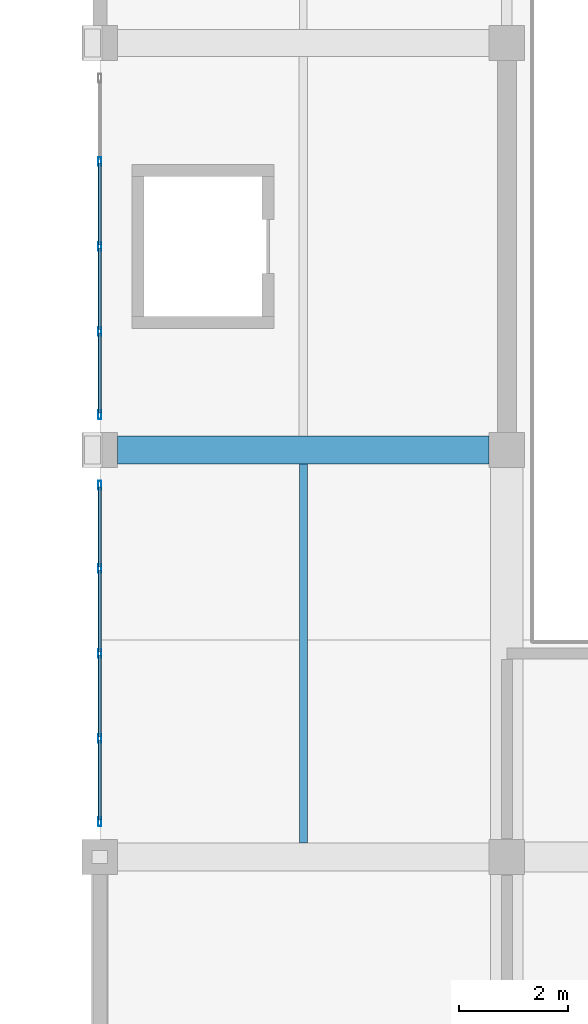
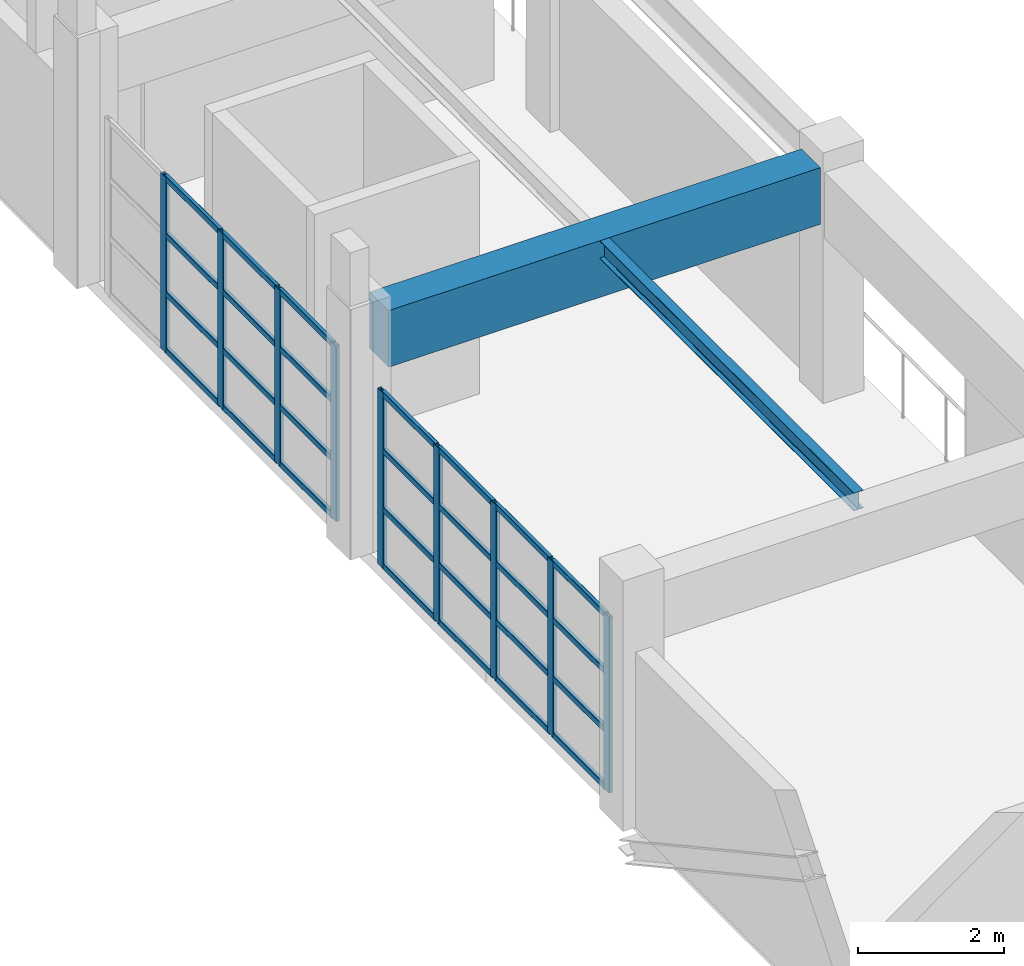
# One storey, part 4 of 51: 37 members, 2 beams, 2 elements without a shape of their own.
"""IFC4 building model written with IfcOpenShell, lengths in metres."""

from ifc_helpers import new_model, si_unit, direction, frame, origin, origin_2d, place, context, subcontext, project, spatial, rectangle, hollow_rectangle, i_section, extrude, material, material_profile, profile_set, type_object, element, aggregate, save


model = new_model("IFC4")

# Units and contexts
model_context = context("Model", 3, precision=1e-05, world=origin(), true_north=direction((0.0, 1.0)))
body_context = subcontext(model_context, "Body", "Model", "MODEL_VIEW")
ifc_project = project(units=[si_unit("LENGTHUNIT", "METRE"), si_unit("AREAUNIT", "SQUARE_METRE"), si_unit("VOLUMEUNIT", "CUBIC_METRE"), si_unit("PLANEANGLEUNIT", "RADIAN"), si_unit("MASSUNIT", "GRAM", prefix="KILO")], contexts=[model_context])

# Site, building, storey
site_placement = place(None, origin())
site = spatial("IfcSite", under=ifc_project, at=site_placement, CompositionType="ELEMENT")
building_placement = place(site_placement, origin())
building = spatial("IfcBuilding", under=site, at=building_placement, Name="Qasida Concert Hall", CompositionType="ELEMENT")
storey_placement = place(building_placement, frame((0.0, 0.0, 21.0)))
storey = spatial("IfcBuildingStorey", under=building, at=storey_placement, Name="L05", CompositionType="ELEMENT", Elevation=21.0)

# Beams
ifc_material_1 = material(Name="Concrete C40/50", Category="concrete")
ifc_material_profile_1 = material_profile(ifc_material_1, rectangle(XDim=0.52001953125, YDim=0.949951171875, at=origin_2d()), Name="RC 520x950")
ifc_profile_set_1 = profile_set([ifc_material_profile_1], Name="Concrete C40/50")
beam_type_1 = type_object("IfcBeamType", Name="BM-G7", PredefinedType="USERDEFINED", material=ifc_profile_set_1)
beam_1_placement = place(storey_placement, frame((52.824951171875, 37.5, 3.445068359375), z_axis=(1.0, 0.0, 0.0), x_axis=(0.0, 1.0, 0.0)))
element("IfcBeam", 1, at=beam_1_placement, inside=storey, type_object=beam_type_1, Name="Primary girder 1992", ObjectType="GIRDER", PredefinedType="USERDEFINED", context=body_context, shape_type="SweptSolid", body=[
    extrude(rectangle(XDim=0.52001953125, YDim=0.949951171875, at=origin_2d()), origin(), (0.0, 0.0, 1.0), 6.85009765625),
])
ifc_material_2 = material(Name="Steel S355J2", Category="steel")
ifc_material_profile_2 = material_profile(ifc_material_2, i_section(OverallWidth=0.14990234375, OverallDepth=0.300048828125, WebThickness=0.007080078125, FlangeThickness=0.0107421875, FilletRadius=0.014892578125, at=origin_2d()), Name="IPE 300")
ifc_profile_set_2 = profile_set([ifc_material_profile_2], Name="Steel S355J2")
beam_type_2 = type_object("IfcBeamType", Name="BM-J4", PredefinedType="JOIST", material=ifc_profile_set_2)
beam_2_placement = place(storey_placement, frame((56.25, 30.260009765625, 3.77001953125), z_axis=(0.0, 1.0, 0.0), x_axis=(-1.0, 0.0, 0.0)))
element("IfcBeam", 2, at=beam_2_placement, inside=storey, type_object=beam_type_2, Name="L05 secondary joist 2027", PredefinedType="JOIST", context=body_context, shape_type="SweptSolid", body=[
    extrude(i_section(OverallWidth=0.14990234375, OverallDepth=0.300048828125, WebThickness=0.007080078125, FlangeThickness=0.0107421875, FilletRadius=0.014892578125, at=origin_2d()), origin(), (0.0, 0.0, 1.0), 6.97998046875),
])

# Curtain wall, members
ifc_material_3 = material(Name="Architectural bronze-anodized aluminium and low-E glass", Category="aluminium")
curtain_wall_type = type_object("IfcCurtainWallType", Name="CW-05", PredefinedType="NOTDEFINED", material=ifc_material_3)
curtain_wall_1_placement = place(storey_placement, origin())
curtain_wall_1 = element("IfcCurtainWall", 3, at=curtain_wall_1_placement, inside=storey, type_object=curtain_wall_type, Name="L05 curtain wall CW-05 0062", PredefinedType="NOTDEFINED")
ifc_material_4 = material(Name="Architectural bronze-anodized aluminium EN AW-6063", Category="aluminium")
ifc_material_profile_3 = material_profile(ifc_material_4, hollow_rectangle(XDim=0.06005859375, YDim=0.159912109375, WallThickness=0.00390625, InnerFilletRadius=0.00390625, OuterFilletRadius=0.008056640625, at=origin_2d()), Name="CWM 160x60x4")
ifc_profile_set_3 = profile_set([ifc_material_profile_3], Name="Architectural bronze-anodized aluminium EN AW-6063")
member_type_1 = type_object("IfcMemberType", Name="MB-CWM-3", PredefinedType="MULLION", material=ifc_profile_set_3)
member_1_placement = place(storey_placement, frame((52.5, 30.64990234375, 0.0), z_axis=(0.0, 0.0, 1.0), x_axis=(-1.0, 0.0, 0.0)))
member_1 = element("IfcMember", 4, at=member_1_placement, type_object=member_type_1, Name="CW-05 mullion 1", PredefinedType="MULLION", context=body_context, shape_type="SweptSolid", body=[
    extrude(hollow_rectangle(XDim=0.06005859375, YDim=0.159912109375, WallThickness=0.00390625, InnerFilletRadius=0.00390625, OuterFilletRadius=0.008056640625, at=origin_2d()), origin(), (0.0, 0.0, 1.0), 2.93994140625),
])
member_2_placement = place(storey_placement, frame((52.5, 32.18505859375, 0.0), z_axis=(0.0, 0.0, 1.0), x_axis=(-1.0, 0.0, 0.0)))
member_2 = element("IfcMember", 5, at=member_2_placement, type_object=member_type_1, Name="CW-05 mullion 2", PredefinedType="MULLION", context=body_context, shape_type="SweptSolid", body=[
    extrude(hollow_rectangle(XDim=0.06005859375, YDim=0.159912109375, WallThickness=0.00390625, InnerFilletRadius=0.00390625, OuterFilletRadius=0.008056640625, at=origin_2d()), origin(), (0.0, 0.0, 1.0), 2.93994140625),
])
member_3_placement = place(storey_placement, frame((52.5, 33.75, 0.0), z_axis=(0.0, 0.0, 1.0), x_axis=(-1.0, 0.0, 0.0)))
member_3 = element("IfcMember", 6, at=member_3_placement, type_object=member_type_1, Name="CW-05 mullion 3", PredefinedType="MULLION", context=body_context, shape_type="SweptSolid", body=[
    extrude(hollow_rectangle(XDim=0.06005859375, YDim=0.159912109375, WallThickness=0.00390625, InnerFilletRadius=0.00390625, OuterFilletRadius=0.008056640625, at=origin_2d()), origin(), (0.0, 0.0, 1.0), 2.93994140625),
])
member_4_placement = place(storey_placement, frame((52.5, 35.31494140625, 0.0), z_axis=(0.0, 0.0, 1.0), x_axis=(-1.0, 0.0, 0.0)))
member_4 = element("IfcMember", 7, at=member_4_placement, type_object=member_type_1, Name="CW-05 mullion 4", PredefinedType="MULLION", context=body_context, shape_type="SweptSolid", body=[
    extrude(hollow_rectangle(XDim=0.06005859375, YDim=0.159912109375, WallThickness=0.00390625, InnerFilletRadius=0.00390625, OuterFilletRadius=0.008056640625, at=origin_2d()), origin(), (0.0, 0.0, 1.0), 2.93994140625),
])
member_5_placement = place(storey_placement, frame((52.5, 36.85009765625, 0.0), z_axis=(0.0, 0.0, 1.0), x_axis=(-1.0, 0.0, 0.0)))
member_5 = element("IfcMember", 8, at=member_5_placement, type_object=member_type_1, Name="CW-05 mullion 5", PredefinedType="MULLION", context=body_context, shape_type="SweptSolid", body=[
    extrude(hollow_rectangle(XDim=0.06005859375, YDim=0.159912109375, WallThickness=0.00390625, InnerFilletRadius=0.00390625, OuterFilletRadius=0.008056640625, at=origin_2d()), origin(), (0.0, 0.0, 1.0), 2.93994140625),
])

curtain_wall_2_placement = place(storey_placement, origin())
curtain_wall_2 = element("IfcCurtainWall", 9, at=curtain_wall_2_placement, inside=storey, type_object=curtain_wall_type, Name="L05 curtain wall CW-05 0064", PredefinedType="NOTDEFINED")
member_6_placement = place(storey_placement, frame((52.5, 38.14990234375, 0.0), z_axis=(0.0, 0.0, 1.0), x_axis=(-1.0, 0.0, 0.0)))
member_6 = element("IfcMember", 10, at=member_6_placement, type_object=member_type_1, Name="CW-05 mullion 1", PredefinedType="MULLION", context=body_context, shape_type="SweptSolid", body=[
    extrude(hollow_rectangle(XDim=0.06005859375, YDim=0.159912109375, WallThickness=0.00390625, InnerFilletRadius=0.00390625, OuterFilletRadius=0.008056640625, at=origin_2d()), origin(), (0.0, 0.0, 1.0), 2.93994140625),
])
member_7_placement = place(storey_placement, frame((52.5, 39.68505859375, 0.0), z_axis=(0.0, 0.0, 1.0), x_axis=(-1.0, 0.0, 0.0)))
member_7 = element("IfcMember", 11, at=member_7_placement, type_object=member_type_1, Name="CW-05 mullion 2", PredefinedType="MULLION", context=body_context, shape_type="SweptSolid", body=[
    extrude(hollow_rectangle(XDim=0.06005859375, YDim=0.159912109375, WallThickness=0.00390625, InnerFilletRadius=0.00390625, OuterFilletRadius=0.008056640625, at=origin_2d()), origin(), (0.0, 0.0, 1.0), 2.93994140625),
])
member_8_placement = place(storey_placement, frame((52.5, 41.25, 0.0), z_axis=(0.0, 0.0, 1.0), x_axis=(-1.0, 0.0, 0.0)))
member_8 = element("IfcMember", 12, at=member_8_placement, type_object=member_type_1, Name="CW-05 mullion 3", PredefinedType="MULLION", context=body_context, shape_type="SweptSolid", body=[
    extrude(hollow_rectangle(XDim=0.06005859375, YDim=0.159912109375, WallThickness=0.00390625, InnerFilletRadius=0.00390625, OuterFilletRadius=0.008056640625, at=origin_2d()), origin(), (0.0, 0.0, 1.0), 2.93994140625),
])
member_9_placement = place(storey_placement, frame((52.5, 42.81494140625, 0.0), z_axis=(0.0, 0.0, 1.0), x_axis=(-1.0, 0.0, 0.0)))
member_9 = element("IfcMember", 13, at=member_9_placement, type_object=member_type_1, Name="CW-05 mullion 4", PredefinedType="MULLION", context=body_context, shape_type="SweptSolid", body=[
    extrude(hollow_rectangle(XDim=0.06005859375, YDim=0.159912109375, WallThickness=0.00390625, InnerFilletRadius=0.00390625, OuterFilletRadius=0.008056640625, at=origin_2d()), origin(), (0.0, 0.0, 1.0), 2.93994140625),
])

# Member
ifc_material_profile_4 = material_profile(ifc_material_4, hollow_rectangle(XDim=0.06005859375, YDim=0.10009765625, WallThickness=0.00341796875, InnerFilletRadius=0.00341796875, OuterFilletRadius=0.007080078125, at=origin_2d()), Name="CWT 100x60x3.5")
ifc_profile_set_4 = profile_set([ifc_material_profile_4], Name="Architectural bronze-anodized aluminium EN AW-6063")
member_type_2 = type_object("IfcMemberType", Name="MB-CWT-3", PredefinedType="USERDEFINED", material=ifc_profile_set_4)
member_10_placement = place(storey_placement, frame((52.5, 30.679931640625, 0.030029296875), z_axis=(0.0, 1.0, 0.0), x_axis=(-1.0, 0.0, 0.0)))
member_10 = element("IfcMember", 14, at=member_10_placement, type_object=member_type_2, Name="CW-05 transom 1.1", ObjectType="TRANSOM", PredefinedType="USERDEFINED", context=body_context, shape_type="SweptSolid", body=[
    extrude(hollow_rectangle(XDim=0.06005859375, YDim=0.10009765625, WallThickness=0.00341796875, InnerFilletRadius=0.00341796875, OuterFilletRadius=0.007080078125, at=origin_2d()), origin(), (0.0, 0.0, 1.0), 1.47509765625),
])

member_11_placement = place(storey_placement, frame((52.5, 30.679931640625, 0.97998046875), z_axis=(0.0, 1.0, 0.0), x_axis=(-1.0, 0.0, 0.0)))
member_11 = element("IfcMember", 15, at=member_11_placement, type_object=member_type_2, Name="CW-05 transom 1.2", ObjectType="TRANSOM", PredefinedType="USERDEFINED", context=body_context, shape_type="SweptSolid", body=[
    extrude(hollow_rectangle(XDim=0.06005859375, YDim=0.10009765625, WallThickness=0.00341796875, InnerFilletRadius=0.00341796875, OuterFilletRadius=0.007080078125, at=origin_2d()), origin(), (0.0, 0.0, 1.0), 1.47509765625),
])

member_12_placement = place(storey_placement, frame((52.5, 30.679931640625, 1.9599609375), z_axis=(0.0, 1.0, 0.0), x_axis=(-1.0, 0.0, 0.0)))
member_12 = element("IfcMember", 16, at=member_12_placement, type_object=member_type_2, Name="CW-05 transom 1.3", ObjectType="TRANSOM", PredefinedType="USERDEFINED", context=body_context, shape_type="SweptSolid", body=[
    extrude(hollow_rectangle(XDim=0.06005859375, YDim=0.10009765625, WallThickness=0.00341796875, InnerFilletRadius=0.00341796875, OuterFilletRadius=0.007080078125, at=origin_2d()), origin(), (0.0, 0.0, 1.0), 1.47509765625),
])

member_13_placement = place(storey_placement, frame((52.5, 30.679931640625, 2.909912109375), z_axis=(0.0, 1.0, 0.0), x_axis=(-1.0, 0.0, 0.0)))
member_13 = element("IfcMember", 17, at=member_13_placement, type_object=member_type_2, Name="CW-05 transom 1.4", ObjectType="TRANSOM", PredefinedType="USERDEFINED", context=body_context, shape_type="SweptSolid", body=[
    extrude(hollow_rectangle(XDim=0.06005859375, YDim=0.10009765625, WallThickness=0.00341796875, InnerFilletRadius=0.00341796875, OuterFilletRadius=0.007080078125, at=origin_2d()), origin(), (0.0, 0.0, 1.0), 1.47509765625),
])

member_14_placement = place(storey_placement, frame((52.5, 32.215087890625, 0.030029296875), z_axis=(0.0, 1.0, 0.0), x_axis=(-1.0, 0.0, 0.0)))
member_14 = element("IfcMember", 18, at=member_14_placement, type_object=member_type_2, Name="CW-05 transom 2.1", ObjectType="TRANSOM", PredefinedType="USERDEFINED", context=body_context, shape_type="SweptSolid", body=[
    extrude(hollow_rectangle(XDim=0.06005859375, YDim=0.10009765625, WallThickness=0.00341796875, InnerFilletRadius=0.00341796875, OuterFilletRadius=0.007080078125, at=origin_2d()), origin(), (0.0, 0.0, 1.0), 1.5048828125),
])

member_15_placement = place(storey_placement, frame((52.5, 32.215087890625, 0.97998046875), z_axis=(0.0, 1.0, 0.0), x_axis=(-1.0, 0.0, 0.0)))
member_15 = element("IfcMember", 19, at=member_15_placement, type_object=member_type_2, Name="CW-05 transom 2.2", ObjectType="TRANSOM", PredefinedType="USERDEFINED", context=body_context, shape_type="SweptSolid", body=[
    extrude(hollow_rectangle(XDim=0.06005859375, YDim=0.10009765625, WallThickness=0.00341796875, InnerFilletRadius=0.00341796875, OuterFilletRadius=0.007080078125, at=origin_2d()), origin(), (0.0, 0.0, 1.0), 1.5048828125),
])

member_16_placement = place(storey_placement, frame((52.5, 32.215087890625, 1.9599609375), z_axis=(0.0, 1.0, 0.0), x_axis=(-1.0, 0.0, 0.0)))
member_16 = element("IfcMember", 20, at=member_16_placement, type_object=member_type_2, Name="CW-05 transom 2.3", ObjectType="TRANSOM", PredefinedType="USERDEFINED", context=body_context, shape_type="SweptSolid", body=[
    extrude(hollow_rectangle(XDim=0.06005859375, YDim=0.10009765625, WallThickness=0.00341796875, InnerFilletRadius=0.00341796875, OuterFilletRadius=0.007080078125, at=origin_2d()), origin(), (0.0, 0.0, 1.0), 1.5048828125),
])

member_17_placement = place(storey_placement, frame((52.5, 32.215087890625, 2.909912109375), z_axis=(0.0, 1.0, 0.0), x_axis=(-1.0, 0.0, 0.0)))
member_17 = element("IfcMember", 21, at=member_17_placement, type_object=member_type_2, Name="CW-05 transom 2.4", ObjectType="TRANSOM", PredefinedType="USERDEFINED", context=body_context, shape_type="SweptSolid", body=[
    extrude(hollow_rectangle(XDim=0.06005859375, YDim=0.10009765625, WallThickness=0.00341796875, InnerFilletRadius=0.00341796875, OuterFilletRadius=0.007080078125, at=origin_2d()), origin(), (0.0, 0.0, 1.0), 1.5048828125),
])

member_18_placement = place(storey_placement, frame((52.5, 33.780029296875, 0.030029296875), z_axis=(0.0, 1.0, 0.0), x_axis=(-1.0, 0.0, 0.0)))
member_18 = element("IfcMember", 22, at=member_18_placement, type_object=member_type_2, Name="CW-05 transom 3.1", ObjectType="TRANSOM", PredefinedType="USERDEFINED", context=body_context, shape_type="SweptSolid", body=[
    extrude(hollow_rectangle(XDim=0.06005859375, YDim=0.10009765625, WallThickness=0.00341796875, InnerFilletRadius=0.00341796875, OuterFilletRadius=0.007080078125, at=origin_2d()), origin(), (0.0, 0.0, 1.0), 1.5048828125),
])

member_19_placement = place(storey_placement, frame((52.5, 33.780029296875, 0.97998046875), z_axis=(0.0, 1.0, 0.0), x_axis=(-1.0, 0.0, 0.0)))
member_19 = element("IfcMember", 23, at=member_19_placement, type_object=member_type_2, Name="CW-05 transom 3.2", ObjectType="TRANSOM", PredefinedType="USERDEFINED", context=body_context, shape_type="SweptSolid", body=[
    extrude(hollow_rectangle(XDim=0.06005859375, YDim=0.10009765625, WallThickness=0.00341796875, InnerFilletRadius=0.00341796875, OuterFilletRadius=0.007080078125, at=origin_2d()), origin(), (0.0, 0.0, 1.0), 1.5048828125),
])

member_20_placement = place(storey_placement, frame((52.5, 33.780029296875, 1.9599609375), z_axis=(0.0, 1.0, 0.0), x_axis=(-1.0, 0.0, 0.0)))
member_20 = element("IfcMember", 24, at=member_20_placement, type_object=member_type_2, Name="CW-05 transom 3.3", ObjectType="TRANSOM", PredefinedType="USERDEFINED", context=body_context, shape_type="SweptSolid", body=[
    extrude(hollow_rectangle(XDim=0.06005859375, YDim=0.10009765625, WallThickness=0.00341796875, InnerFilletRadius=0.00341796875, OuterFilletRadius=0.007080078125, at=origin_2d()), origin(), (0.0, 0.0, 1.0), 1.5048828125),
])

member_21_placement = place(storey_placement, frame((52.5, 33.780029296875, 2.909912109375), z_axis=(0.0, 1.0, 0.0), x_axis=(-1.0, 0.0, 0.0)))
member_21 = element("IfcMember", 25, at=member_21_placement, type_object=member_type_2, Name="CW-05 transom 3.4", ObjectType="TRANSOM", PredefinedType="USERDEFINED", context=body_context, shape_type="SweptSolid", body=[
    extrude(hollow_rectangle(XDim=0.06005859375, YDim=0.10009765625, WallThickness=0.00341796875, InnerFilletRadius=0.00341796875, OuterFilletRadius=0.007080078125, at=origin_2d()), origin(), (0.0, 0.0, 1.0), 1.5048828125),
])

member_22_placement = place(storey_placement, frame((52.5, 35.344970703125, 0.030029296875), z_axis=(0.0, 1.0, 0.0), x_axis=(-1.0, 0.0, 0.0)))
member_22 = element("IfcMember", 26, at=member_22_placement, type_object=member_type_2, Name="CW-05 transom 4.1", ObjectType="TRANSOM", PredefinedType="USERDEFINED", context=body_context, shape_type="SweptSolid", body=[
    extrude(hollow_rectangle(XDim=0.06005859375, YDim=0.10009765625, WallThickness=0.00341796875, InnerFilletRadius=0.00341796875, OuterFilletRadius=0.007080078125, at=origin_2d()), origin(), (0.0, 0.0, 1.0), 1.47509765625),
])

member_23_placement = place(storey_placement, frame((52.5, 35.344970703125, 0.97998046875), z_axis=(0.0, 1.0, 0.0), x_axis=(-1.0, 0.0, 0.0)))
member_23 = element("IfcMember", 27, at=member_23_placement, type_object=member_type_2, Name="CW-05 transom 4.2", ObjectType="TRANSOM", PredefinedType="USERDEFINED", context=body_context, shape_type="SweptSolid", body=[
    extrude(hollow_rectangle(XDim=0.06005859375, YDim=0.10009765625, WallThickness=0.00341796875, InnerFilletRadius=0.00341796875, OuterFilletRadius=0.007080078125, at=origin_2d()), origin(), (0.0, 0.0, 1.0), 1.47509765625),
])

member_24_placement = place(storey_placement, frame((52.5, 35.344970703125, 1.9599609375), z_axis=(0.0, 1.0, 0.0), x_axis=(-1.0, 0.0, 0.0)))
member_24 = element("IfcMember", 28, at=member_24_placement, type_object=member_type_2, Name="CW-05 transom 4.3", ObjectType="TRANSOM", PredefinedType="USERDEFINED", context=body_context, shape_type="SweptSolid", body=[
    extrude(hollow_rectangle(XDim=0.06005859375, YDim=0.10009765625, WallThickness=0.00341796875, InnerFilletRadius=0.00341796875, OuterFilletRadius=0.007080078125, at=origin_2d()), origin(), (0.0, 0.0, 1.0), 1.47509765625),
])

member_25_placement = place(storey_placement, frame((52.5, 35.344970703125, 2.909912109375), z_axis=(0.0, 1.0, 0.0), x_axis=(-1.0, 0.0, 0.0)))
member_25 = element("IfcMember", 29, at=member_25_placement, type_object=member_type_2, Name="CW-05 transom 4.4", ObjectType="TRANSOM", PredefinedType="USERDEFINED", context=body_context, shape_type="SweptSolid", body=[
    extrude(hollow_rectangle(XDim=0.06005859375, YDim=0.10009765625, WallThickness=0.00341796875, InnerFilletRadius=0.00341796875, OuterFilletRadius=0.007080078125, at=origin_2d()), origin(), (0.0, 0.0, 1.0), 1.47509765625),
])

aggregate(curtain_wall_1, [member_1, member_2, member_3, member_4, member_5, member_10, member_11, member_12, member_13, member_14, member_15, member_16, member_17, member_18, member_19, member_20, member_21, member_22, member_23, member_24, member_25])

member_26_placement = place(storey_placement, frame((52.5, 38.179931640625, 0.030029296875), z_axis=(0.0, 1.0, 0.0), x_axis=(-1.0, 0.0, 0.0)))
member_26 = element("IfcMember", 30, at=member_26_placement, type_object=member_type_2, Name="CW-05 transom 1.1", ObjectType="TRANSOM", PredefinedType="USERDEFINED", context=body_context, shape_type="SweptSolid", body=[
    extrude(hollow_rectangle(XDim=0.06005859375, YDim=0.10009765625, WallThickness=0.00341796875, InnerFilletRadius=0.00341796875, OuterFilletRadius=0.007080078125, at=origin_2d()), origin(), (0.0, 0.0, 1.0), 1.47509765625),
])

member_27_placement = place(storey_placement, frame((52.5, 38.179931640625, 0.97998046875), z_axis=(0.0, 1.0, 0.0), x_axis=(-1.0, 0.0, 0.0)))
member_27 = element("IfcMember", 31, at=member_27_placement, type_object=member_type_2, Name="CW-05 transom 1.2", ObjectType="TRANSOM", PredefinedType="USERDEFINED", context=body_context, shape_type="SweptSolid", body=[
    extrude(hollow_rectangle(XDim=0.06005859375, YDim=0.10009765625, WallThickness=0.00341796875, InnerFilletRadius=0.00341796875, OuterFilletRadius=0.007080078125, at=origin_2d()), origin(), (0.0, 0.0, 1.0), 1.47509765625),
])

member_28_placement = place(storey_placement, frame((52.5, 38.179931640625, 1.9599609375), z_axis=(0.0, 1.0, 0.0), x_axis=(-1.0, 0.0, 0.0)))
member_28 = element("IfcMember", 32, at=member_28_placement, type_object=member_type_2, Name="CW-05 transom 1.3", ObjectType="TRANSOM", PredefinedType="USERDEFINED", context=body_context, shape_type="SweptSolid", body=[
    extrude(hollow_rectangle(XDim=0.06005859375, YDim=0.10009765625, WallThickness=0.00341796875, InnerFilletRadius=0.00341796875, OuterFilletRadius=0.007080078125, at=origin_2d()), origin(), (0.0, 0.0, 1.0), 1.47509765625),
])

member_29_placement = place(storey_placement, frame((52.5, 38.179931640625, 2.909912109375), z_axis=(0.0, 1.0, 0.0), x_axis=(-1.0, 0.0, 0.0)))
member_29 = element("IfcMember", 33, at=member_29_placement, type_object=member_type_2, Name="CW-05 transom 1.4", ObjectType="TRANSOM", PredefinedType="USERDEFINED", context=body_context, shape_type="SweptSolid", body=[
    extrude(hollow_rectangle(XDim=0.06005859375, YDim=0.10009765625, WallThickness=0.00341796875, InnerFilletRadius=0.00341796875, OuterFilletRadius=0.007080078125, at=origin_2d()), origin(), (0.0, 0.0, 1.0), 1.47509765625),
])

member_30_placement = place(storey_placement, frame((52.5, 39.715087890625, 0.030029296875), z_axis=(0.0, 1.0, 0.0), x_axis=(-1.0, 0.0, 0.0)))
member_30 = element("IfcMember", 34, at=member_30_placement, type_object=member_type_2, Name="CW-05 transom 2.1", ObjectType="TRANSOM", PredefinedType="USERDEFINED", context=body_context, shape_type="SweptSolid", body=[
    extrude(hollow_rectangle(XDim=0.06005859375, YDim=0.10009765625, WallThickness=0.00341796875, InnerFilletRadius=0.00341796875, OuterFilletRadius=0.007080078125, at=origin_2d()), origin(), (0.0, 0.0, 1.0), 1.5048828125),
])

member_31_placement = place(storey_placement, frame((52.5, 39.715087890625, 0.97998046875), z_axis=(0.0, 1.0, 0.0), x_axis=(-1.0, 0.0, 0.0)))
member_31 = element("IfcMember", 35, at=member_31_placement, type_object=member_type_2, Name="CW-05 transom 2.2", ObjectType="TRANSOM", PredefinedType="USERDEFINED", context=body_context, shape_type="SweptSolid", body=[
    extrude(hollow_rectangle(XDim=0.06005859375, YDim=0.10009765625, WallThickness=0.00341796875, InnerFilletRadius=0.00341796875, OuterFilletRadius=0.007080078125, at=origin_2d()), origin(), (0.0, 0.0, 1.0), 1.5048828125),
])

member_32_placement = place(storey_placement, frame((52.5, 39.715087890625, 1.9599609375), z_axis=(0.0, 1.0, 0.0), x_axis=(-1.0, 0.0, 0.0)))
member_32 = element("IfcMember", 36, at=member_32_placement, type_object=member_type_2, Name="CW-05 transom 2.3", ObjectType="TRANSOM", PredefinedType="USERDEFINED", context=body_context, shape_type="SweptSolid", body=[
    extrude(hollow_rectangle(XDim=0.06005859375, YDim=0.10009765625, WallThickness=0.00341796875, InnerFilletRadius=0.00341796875, OuterFilletRadius=0.007080078125, at=origin_2d()), origin(), (0.0, 0.0, 1.0), 1.5048828125),
])

member_33_placement = place(storey_placement, frame((52.5, 39.715087890625, 2.909912109375), z_axis=(0.0, 1.0, 0.0), x_axis=(-1.0, 0.0, 0.0)))
member_33 = element("IfcMember", 37, at=member_33_placement, type_object=member_type_2, Name="CW-05 transom 2.4", ObjectType="TRANSOM", PredefinedType="USERDEFINED", context=body_context, shape_type="SweptSolid", body=[
    extrude(hollow_rectangle(XDim=0.06005859375, YDim=0.10009765625, WallThickness=0.00341796875, InnerFilletRadius=0.00341796875, OuterFilletRadius=0.007080078125, at=origin_2d()), origin(), (0.0, 0.0, 1.0), 1.5048828125),
])

member_34_placement = place(storey_placement, frame((52.5, 41.280029296875, 0.030029296875), z_axis=(0.0, 1.0, 0.0), x_axis=(-1.0, 0.0, 0.0)))
member_34 = element("IfcMember", 38, at=member_34_placement, type_object=member_type_2, Name="CW-05 transom 3.1", ObjectType="TRANSOM", PredefinedType="USERDEFINED", context=body_context, shape_type="SweptSolid", body=[
    extrude(hollow_rectangle(XDim=0.06005859375, YDim=0.10009765625, WallThickness=0.00341796875, InnerFilletRadius=0.00341796875, OuterFilletRadius=0.007080078125, at=origin_2d()), origin(), (0.0, 0.0, 1.0), 1.5048828125),
])

member_35_placement = place(storey_placement, frame((52.5, 41.280029296875, 0.97998046875), z_axis=(0.0, 1.0, 0.0), x_axis=(-1.0, 0.0, 0.0)))
member_35 = element("IfcMember", 39, at=member_35_placement, type_object=member_type_2, Name="CW-05 transom 3.2", ObjectType="TRANSOM", PredefinedType="USERDEFINED", context=body_context, shape_type="SweptSolid", body=[
    extrude(hollow_rectangle(XDim=0.06005859375, YDim=0.10009765625, WallThickness=0.00341796875, InnerFilletRadius=0.00341796875, OuterFilletRadius=0.007080078125, at=origin_2d()), origin(), (0.0, 0.0, 1.0), 1.5048828125),
])

member_36_placement = place(storey_placement, frame((52.5, 41.280029296875, 1.9599609375), z_axis=(0.0, 1.0, 0.0), x_axis=(-1.0, 0.0, 0.0)))
member_36 = element("IfcMember", 40, at=member_36_placement, type_object=member_type_2, Name="CW-05 transom 3.3", ObjectType="TRANSOM", PredefinedType="USERDEFINED", context=body_context, shape_type="SweptSolid", body=[
    extrude(hollow_rectangle(XDim=0.06005859375, YDim=0.10009765625, WallThickness=0.00341796875, InnerFilletRadius=0.00341796875, OuterFilletRadius=0.007080078125, at=origin_2d()), origin(), (0.0, 0.0, 1.0), 1.5048828125),
])

member_37_placement = place(storey_placement, frame((52.5, 41.280029296875, 2.909912109375), z_axis=(0.0, 1.0, 0.0), x_axis=(-1.0, 0.0, 0.0)))
member_37 = element("IfcMember", 41, at=member_37_placement, type_object=member_type_2, Name="CW-05 transom 3.4", ObjectType="TRANSOM", PredefinedType="USERDEFINED", context=body_context, shape_type="SweptSolid", body=[
    extrude(hollow_rectangle(XDim=0.06005859375, YDim=0.10009765625, WallThickness=0.00341796875, InnerFilletRadius=0.00341796875, OuterFilletRadius=0.007080078125, at=origin_2d()), origin(), (0.0, 0.0, 1.0), 1.5048828125),
])

aggregate(curtain_wall_2, [member_6, member_7, member_8, member_9, member_26, member_27, member_28, member_29, member_30, member_31, member_32, member_33, member_34, member_35, member_36, member_37])

save(model, "model.ifc")
